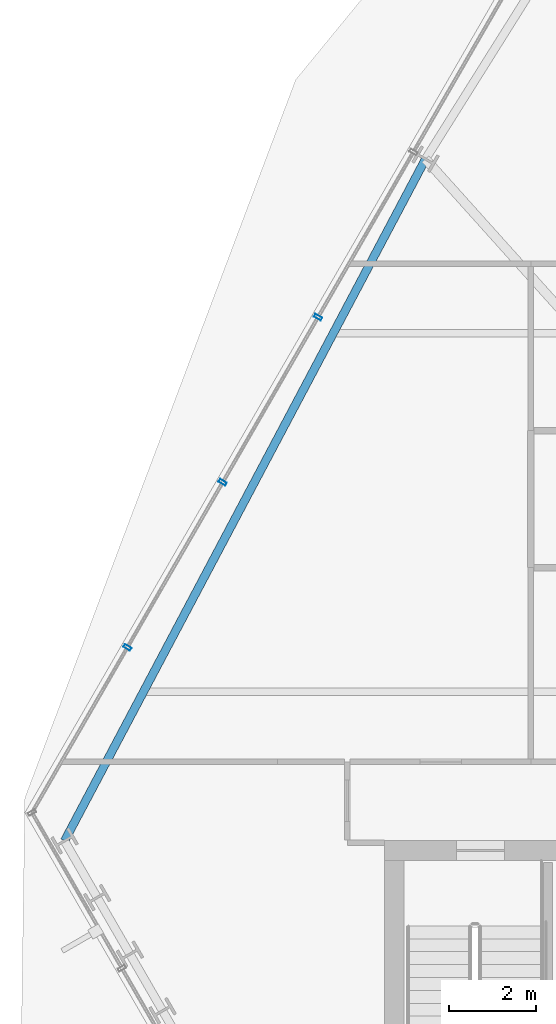
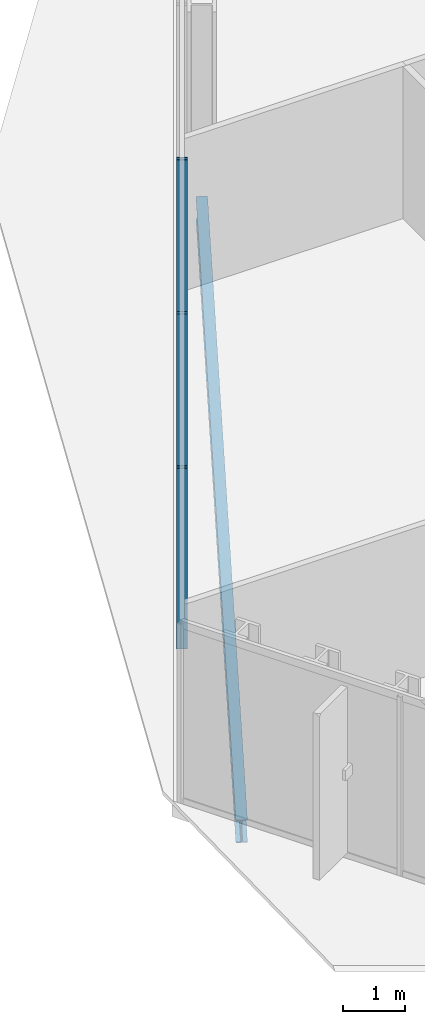
# One storey, part 11 of 36: 3 members, 1 beam, 1 element without a shape of its own.
"""IFC4 building model written with IfcOpenShell, lengths in metres."""

from ifc_helpers import new_model, si_unit, direction, frame, origin, origin_2d, place, context, subcontext, project, spatial, hollow_rectangle, i_section, extrude, material, layer, layer_set, material_profile, profile_set, type_object, element, aggregate, save


model = new_model("IFC4")

# Units and contexts
model_context = context("Model", 3, precision=1e-05, world=origin(), true_north=direction((0.0, 1.0)))
body_context = subcontext(model_context, "Body", "Model", "MODEL_VIEW")
ifc_project = project(units=[si_unit("LENGTHUNIT", "METRE"), si_unit("AREAUNIT", "SQUARE_METRE"), si_unit("VOLUMEUNIT", "CUBIC_METRE"), si_unit("PLANEANGLEUNIT", "RADIAN"), si_unit("MASSUNIT", "GRAM", prefix="KILO")], contexts=[model_context])

# Site, building, storey
site_placement = place(None, origin())
site = spatial("IfcSite", under=ifc_project, at=site_placement, CompositionType="ELEMENT")
building_placement = place(site_placement, origin())
building = spatial("IfcBuilding", under=site, at=building_placement, Name="Ndaravel Arena Tower", CompositionType="ELEMENT")
storey_placement = place(building_placement, frame((0.0, 0.0, 127.0)))
storey = spatial("IfcBuildingStorey", under=building, at=storey_placement, Name="L29", CompositionType="ELEMENT", Elevation=127.0)

# Beam
ifc_material_1 = material(Name="Steel S355", Category="steel")
ifc_material_profile_1 = material_profile(ifc_material_1, i_section(OverallWidth=0.18994140625, OverallDepth=0.449951171875, WebThickness=0.009521484375, FlangeThickness=0.0146484375, FilletRadius=0.02099609375, at=origin_2d()), Name="IPE 450")
ifc_profile_set_1 = profile_set([ifc_material_profile_1], Name="Steel S355")
beam_type = type_object("IfcBeamType", Name="BM-SPAN-IPE450", PredefinedType="SPANDREL", material=ifc_profile_set_1)
beam_placement = place(storey_placement, frame((27.38818359375, 30.78857421875, -0.445068359375), z_axis=(-0.467885177622, -0.883789262529, 0.0), x_axis=(0.883789262529, -0.467885177622, 0.0)))
element("IfcBeam", 1, at=beam_placement, inside=storey, type_object=beam_type, Name="L29 Perimeter Spandrel Beam SP-19", PredefinedType="SPANDREL", context=body_context, shape_type="SweptSolid", body=[
    extrude(i_section(OverallWidth=0.18994140625, OverallDepth=0.449951171875, WebThickness=0.009521484375, FlangeThickness=0.0146484375, FilletRadius=0.02099609375, at=origin_2d()), origin(), (0.0, 0.0, 1.0), 17.6455078125),
])

# Curtain wall, members
ifc_material_2 = material(Name="Aluminium", Category="aluminium")
ifc_layer = layer(ifc_material_2, 0.179931640625)
ifc_layer_set = layer_set([ifc_layer], Name="Aluminium")
curtain_wall_type = type_object("IfcCurtainWallType", Name="CW-SYS-03", PredefinedType="NOTDEFINED", material=ifc_layer_set)
curtain_wall_placement = place(storey_placement, origin())
curtain_wall = element("IfcCurtainWall", 2, at=curtain_wall_placement, inside=storey, type_object=curtain_wall_type, Name="L29 Faceted Crystal Curtain Wall CW-L29-E05", PredefinedType="NOTDEFINED")
ifc_material_3 = material(Name="Aluminium", Category="aluminium")
ifc_material_profile_2 = material_profile(ifc_material_3, hollow_rectangle(XDim=0.074951171875, YDim=0.179931640625, WallThickness=0.00390625, at=origin_2d()), Name="CW MULLION 75x180x4")
ifc_profile_set_2 = profile_set([ifc_material_profile_2], Name="Aluminium")
member_type = type_object("IfcMemberType", Name="MEM-CW-MUL180", PredefinedType="MULLION", material=ifc_profile_set_2)
member_1_placement = place(storey_placement, frame((24.930419921875, 27.171630859375, 0.0), z_axis=(0.0, 0.0, 1.0), x_axis=(-0.5, -0.866025403784, 0.0)))
member_1 = element("IfcMember", 3, at=member_1_placement, type_object=member_type, Name="CW-L29-E05 Mullion 05", PredefinedType="MULLION", context=body_context, shape_type="SweptSolid", body=[
    extrude(hollow_rectangle(XDim=0.074951171875, YDim=0.179931640625, WallThickness=0.00390625, at=origin_2d()), origin(), (0.0, 0.0, 1.0), 3.580078125),
])
member_2_placement = place(storey_placement, frame((22.75, 23.39501953125, 0.0), z_axis=(0.0, 0.0, 1.0), x_axis=(-0.5, -0.866025403784, 0.0)))
member_2 = element("IfcMember", 4, at=member_2_placement, type_object=member_type, Name="CW-L29-E05 Mullion 06", PredefinedType="MULLION", context=body_context, shape_type="SweptSolid", body=[
    extrude(hollow_rectangle(XDim=0.074951171875, YDim=0.179931640625, WallThickness=0.00390625, at=origin_2d()), origin(), (0.0, 0.0, 1.0), 3.580078125),
])
member_3_placement = place(storey_placement, frame((20.5693359375, 19.617919921875, 0.0), z_axis=(0.0, 0.0, 1.0), x_axis=(-0.5, -0.866025403784, 0.0)))
member_3 = element("IfcMember", 5, at=member_3_placement, type_object=member_type, Name="CW-L29-E05 Mullion 07", PredefinedType="MULLION", context=body_context, shape_type="SweptSolid", body=[
    extrude(hollow_rectangle(XDim=0.074951171875, YDim=0.179931640625, WallThickness=0.00390625, at=origin_2d()), origin(), (0.0, 0.0, 1.0), 3.580078125),
])
aggregate(curtain_wall, [member_1, member_2, member_3])

save(model, "model.ifc")
